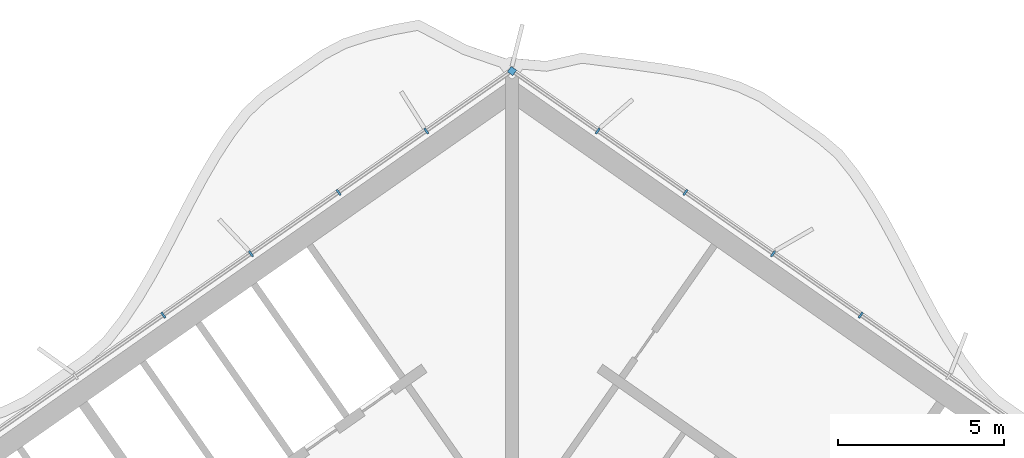
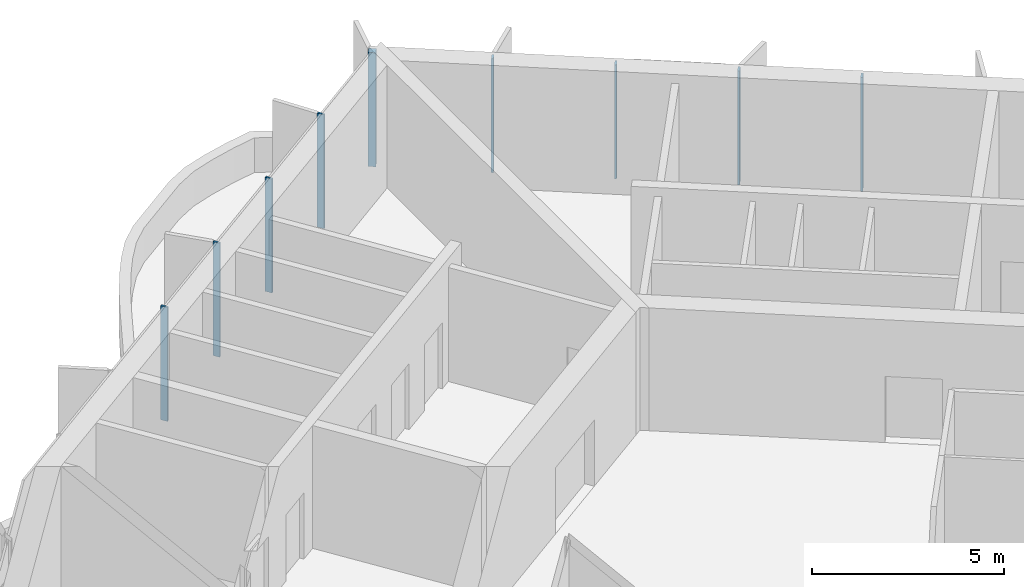
# One storey, part 6 of 18: 9 members, 1 element without a shape of its own.
"""IFC4 building model written with IfcOpenShell, lengths in metres."""

from ifc_helpers import new_model, si_unit, direction, frame, origin, origin_2d, place, context, subcontext, project, spatial, rectangle, extrude, material, material_profile, profile_set, type_object, element, aggregate, save


model = new_model("IFC4")

# Units and contexts
model_context = context("Model", 3, precision=1e-05, world=origin(), true_north=direction((0.0, 1.0)))
body_context = subcontext(model_context, "Body", "Model", "MODEL_VIEW")
ifc_project = project(units=[si_unit("LENGTHUNIT", "METRE"), si_unit("AREAUNIT", "SQUARE_METRE"), si_unit("VOLUMEUNIT", "CUBIC_METRE"), si_unit("PLANEANGLEUNIT", "RADIAN"), si_unit("MASSUNIT", "GRAM", prefix="KILO")], contexts=[model_context])

# Site, building, storey
site_placement = place(None, origin())
site = spatial("IfcSite", under=ifc_project, at=site_placement, CompositionType="ELEMENT")
building_placement = place(site_placement, origin())
building = spatial("IfcBuilding", under=site, at=building_placement, Name="Tel Ilan Convention Tower", CompositionType="ELEMENT")
storey_placement = place(building_placement, frame((0.0, 0.0, 295.60009765625)))
storey = spatial("IfcBuildingStorey", under=building, at=storey_placement, Name="L70", CompositionType="ELEMENT", Elevation=295.60009765625)

# Curtain wall, members
ifc_material_1 = material(Name="Aluminium, bronze anodised", Category="aluminium")
curtain_wall_type = type_object("IfcCurtainWallType", Name="CW2 STICK CURTAIN WALL, SPANDREL PANELS", PredefinedType="NOTDEFINED", material=ifc_material_1)
curtain_wall_placement = place(storey_placement, origin())
curtain_wall = element("IfcCurtainWall", 1, at=curtain_wall_placement, inside=storey, type_object=curtain_wall_type, Name="Curtain wall CW2-53.01", PredefinedType="NOTDEFINED")
ifc_material_2 = material(Name="Aluminium, bronze anodised", Category="aluminium")
ifc_material_profile_1 = material_profile(ifc_material_2, rectangle(XDim=0.199951171875, YDim=0.199951171875, at=origin_2d()), Name="CW CORNER MULLION 200x200")
ifc_profile_set_1 = profile_set([ifc_material_profile_1], Name="Aluminium, bronze anodised")
member_type_1 = type_object("IfcMemberType", Name="CW CORNER MULLION 200x200", PredefinedType="MULLION", material=ifc_profile_set_1)
member_1_placement = place(storey_placement, frame((0.0, 12.696044921875, 0.0), z_axis=(0.0, 0.0, 1.0), x_axis=(-0.819152044289, 0.573576436351, 0.0)))
member_1 = element("IfcMember", 2, at=member_1_placement, type_object=member_type_1, Name="Corner mullion", PredefinedType="MULLION", context=body_context, shape_type="SweptSolid", body=[
    extrude(rectangle(XDim=0.199951171875, YDim=0.199951171875, at=origin_2d()), origin(), (0.0, 0.0, 1.0), 3.619873046875),
])
ifc_material_3 = material(Name="Aluminium, bronze anodised", Category="aluminium")
ifc_material_profile_2 = material_profile(ifc_material_3, rectangle(XDim=0.06005859375, YDim=0.199951171875, at=origin_2d()), Name="CW MULLION 60x200")
ifc_profile_set_2 = profile_set([ifc_material_profile_2], Name="Aluminium, bronze anodised")
member_type_2 = type_object("IfcMemberType", Name="CW MULLION 60x200", PredefinedType="MULLION", material=ifc_profile_set_2)
member_2_placement = place(storey_placement, frame((10.47314453125, 5.36279296875, 0.0), z_axis=(0.0, 0.0, 1.0), x_axis=(-0.819152044289, 0.573576436351, 0.0)))
member_2 = element("IfcMember", 3, at=member_2_placement, type_object=member_type_2, Name="Mullion", PredefinedType="MULLION", context=body_context, shape_type="SweptSolid", body=[
    extrude(rectangle(XDim=0.06005859375, YDim=0.199951171875, at=origin_2d()), origin(), (0.0, 0.0, 1.0), 3.619873046875),
])
member_3_placement = place(storey_placement, frame((7.840576171875, 7.2060546875, 0.0), z_axis=(0.0, 0.0, 1.0), x_axis=(-0.819152044289, 0.573576436351, 0.0)))
member_3 = element("IfcMember", 4, at=member_3_placement, type_object=member_type_2, Name="Mullion", PredefinedType="MULLION", context=body_context, shape_type="SweptSolid", body=[
    extrude(rectangle(XDim=0.06005859375, YDim=0.199951171875, at=origin_2d()), origin(), (0.0, 0.0, 1.0), 3.619873046875),
])
member_4_placement = place(storey_placement, frame((5.207763671875, 9.049560546875, 0.0), z_axis=(0.0, 0.0, 1.0), x_axis=(-0.819152044289, 0.573576436351, 0.0)))
member_4 = element("IfcMember", 5, at=member_4_placement, type_object=member_type_2, Name="Mullion", PredefinedType="MULLION", context=body_context, shape_type="SweptSolid", body=[
    extrude(rectangle(XDim=0.06005859375, YDim=0.199951171875, at=origin_2d()), origin(), (0.0, 0.0, 1.0), 3.619873046875),
])
member_5_placement = place(storey_placement, frame((2.5751953125, 10.892822265625, 0.0), z_axis=(0.0, 0.0, 1.0), x_axis=(-0.819152044289, 0.573576436351, 0.0)))
member_5 = element("IfcMember", 6, at=member_5_placement, type_object=member_type_2, Name="Mullion", PredefinedType="MULLION", context=body_context, shape_type="SweptSolid", body=[
    extrude(rectangle(XDim=0.06005859375, YDim=0.199951171875, at=origin_2d()), origin(), (0.0, 0.0, 1.0), 3.619873046875),
])
member_6_placement = place(storey_placement, frame((-2.5751953125, 10.892822265625, 0.0), z_axis=(0.0, 0.0, 1.0), x_axis=(-0.819152044289, -0.573576436351, 0.0)))
member_6 = element("IfcMember", 7, at=member_6_placement, type_object=member_type_2, Name="Mullion", PredefinedType="MULLION", context=body_context, shape_type="SweptSolid", body=[
    extrude(rectangle(XDim=0.06005859375, YDim=0.199951171875, at=origin_2d()), origin(), (0.0, 0.0, 1.0), 3.619873046875),
])
member_7_placement = place(storey_placement, frame((-5.207763671875, 9.049560546875, 0.0), z_axis=(0.0, 0.0, 1.0), x_axis=(-0.819152044289, -0.573576436351, 0.0)))
member_7 = element("IfcMember", 8, at=member_7_placement, type_object=member_type_2, Name="Mullion", PredefinedType="MULLION", context=body_context, shape_type="SweptSolid", body=[
    extrude(rectangle(XDim=0.06005859375, YDim=0.199951171875, at=origin_2d()), origin(), (0.0, 0.0, 1.0), 3.619873046875),
])
member_8_placement = place(storey_placement, frame((-7.840576171875, 7.2060546875, 0.0), z_axis=(0.0, 0.0, 1.0), x_axis=(-0.819152044289, -0.573576436351, 0.0)))
member_8 = element("IfcMember", 9, at=member_8_placement, type_object=member_type_2, Name="Mullion", PredefinedType="MULLION", context=body_context, shape_type="SweptSolid", body=[
    extrude(rectangle(XDim=0.06005859375, YDim=0.199951171875, at=origin_2d()), origin(), (0.0, 0.0, 1.0), 3.619873046875),
])
member_9_placement = place(storey_placement, frame((-10.47314453125, 5.36279296875, 0.0), z_axis=(0.0, 0.0, 1.0), x_axis=(-0.819152044289, -0.573576436351, 0.0)))
member_9 = element("IfcMember", 10, at=member_9_placement, type_object=member_type_2, Name="Mullion", PredefinedType="MULLION", context=body_context, shape_type="SweptSolid", body=[
    extrude(rectangle(XDim=0.06005859375, YDim=0.199951171875, at=origin_2d()), origin(), (0.0, 0.0, 1.0), 3.619873046875),
])
aggregate(curtain_wall, [member_2, member_3, member_4, member_5, member_1, member_6, member_7, member_8, member_9])

save(model, "model.ifc")
